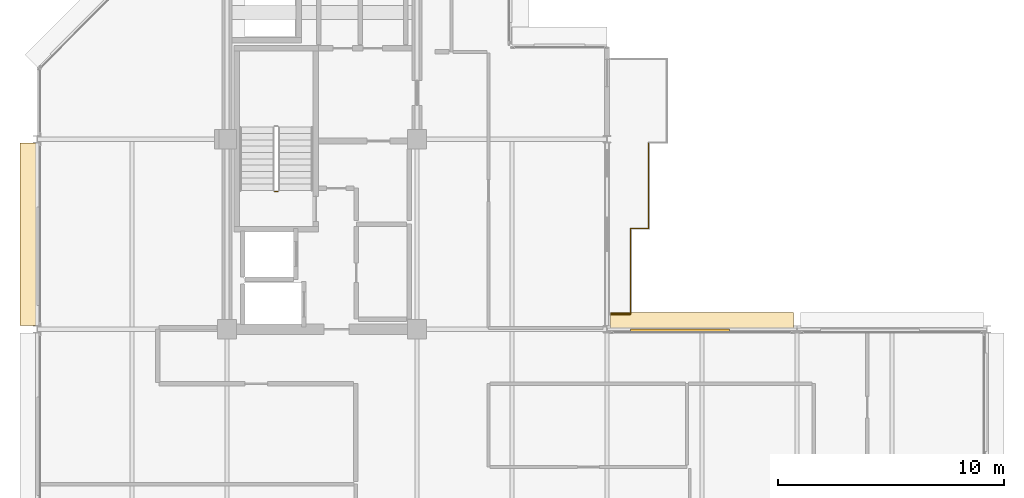
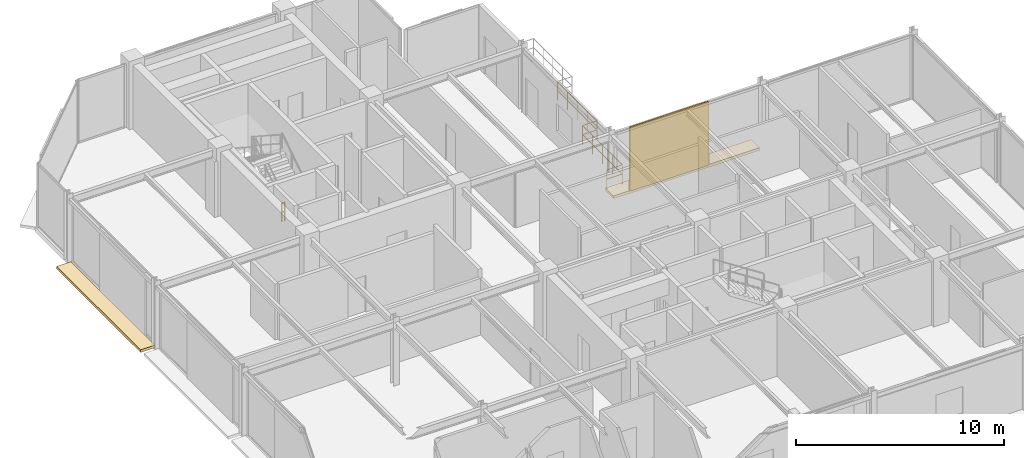
# One storey, part 25 of 27: 5 railings, 3 coverings.
"""IFC4 building model written with IfcOpenShell, lengths in metres."""

from ifc_helpers import new_model, si_unit, direction, frame, origin, origin_2d, place, context, subcontext, project, spatial, polyline, rectangle, circle, outline, extrude, material, layer, layer_set, type_object, element, save


model = new_model("IFC4")

# Units and contexts
model_context = context("Model", 3, precision=1e-05, world=origin(), true_north=direction((0.0, 1.0)))
body_context = subcontext(model_context, "Body", "Model", "MODEL_VIEW")
ifc_project = project(units=[si_unit("LENGTHUNIT", "METRE"), si_unit("AREAUNIT", "SQUARE_METRE"), si_unit("VOLUMEUNIT", "CUBIC_METRE"), si_unit("PLANEANGLEUNIT", "RADIAN"), si_unit("MASSUNIT", "GRAM", prefix="KILO")], contexts=[model_context])

# Site, building, storey
site_placement = place(None, origin())
site = spatial("IfcSite", under=ifc_project, at=site_placement, CompositionType="ELEMENT")
building_placement = place(site_placement, origin())
building = spatial("IfcBuilding", under=site, at=building_placement, Name="Nerrivon Quay Data Exchange", CompositionType="ELEMENT")
storey_placement = place(building_placement, frame((0.0, 0.0, 254.199951171875)))
storey = spatial("IfcBuildingStorey", under=building, at=storey_placement, Name="L60", CompositionType="ELEMENT", Elevation=254.199951171875)

# Coverings
ifc_material_1 = material(Name="Architectural terracotta ceramic", Category="masonry")
ifc_layer_1 = layer(ifc_material_1, 0.159912109375)
ifc_layer_set_1 = layer_set([ifc_layer_1], Name="Architectural terracotta ceramic")
covering_type_1 = type_object("IfcCoveringType", Name="COV-BLD-TERR", PredefinedType="CLADDING", material=ifc_layer_set_1)
covering_1_placement = place(storey_placement, frame((0.0, 0.0, -0.159912109375)))
element("IfcCovering", 1, at=covering_1_placement, inside=storey, type_object=covering_type_1, Name="L60 Horizontal Terracotta SOLAR SCREEN Blade", PredefinedType="CLADDING", context=body_context, shape_type="SweptSolid", body=[
    extrude(outline(polyline([(0.0400390625, 25.363525390625), (0.0400390625, 33.4365234375), (-0.75, 33.4365234375), (-0.75, 25.363525390625), (0.0400390625, 25.363525390625)])), origin(), (0.0, 0.0, 1.0), 0.159912109375),
])
covering_2_placement = place(storey_placement, frame((0.0, 0.0, -0.159912109375)))
element("IfcCovering", 2, at=covering_2_placement, inside=storey, type_object=covering_type_1, Name="L60 Horizontal Terracotta SOLAR SCREEN Blade", PredefinedType="CLADDING", context=body_context, shape_type="SweptSolid", body=[
    extrude(outline(polyline([(25.35546875, 25.159912109375), (33.444580078125, 25.159912109375), (33.444580078125, 25.949951171875), (25.35546875, 25.949951171875), (25.35546875, 25.159912109375)])), origin(), (0.0, 0.0, 1.0), 0.159912109375),
])
ifc_layer_2 = layer(ifc_material_1, 0.090087890625)
ifc_layer_set_2 = layer_set([ifc_layer_2], Name="Architectural terracotta ceramic")
covering_type_2 = type_object("IfcCoveringType", Name="COV-SCR-TERR", PredefinedType="CLADDING", material=ifc_layer_set_2)
covering_3_placement = place(storey_placement, frame((28.42919921875, 25.155029296875, 0.0), z_axis=(0.0, 0.0, 1.0), x_axis=(1.0, 0.0, 0.0)))
element("IfcCovering", 3, at=covering_3_placement, inside=storey, type_object=covering_type_2, Name="L60 Perforated Terracotta SOLAR SCREEN Cassette", PredefinedType="CLADDING", context=body_context, shape_type="SweptSolid", body=[
    extrude(rectangle(XDim=4.367919921875, YDim=0.090087890625, at=origin_2d()), origin(), (0.0, 0.0, 1.0), 3.72509765625),
])

# Railings
ifc_material_2 = material(Name="Steel Grade C350L0 (350 MPa)", Category="steel")
railing_type_1 = type_object("IfcRailingType", Name="RAIL-GUARD-GR2", PredefinedType="BALUSTRADE", material=ifc_material_2)
railing_1_placement = place(storey_placement, frame((26.239990234375, 29.659912109375, 0.0)))
element("IfcRailing", 4, at=railing_1_placement, inside=storey, type_object=railing_type_1, Name="L60 Verandah Balcony Guard 1.1 1", PredefinedType="BALUSTRADE", context=body_context, shape_type="SweptSolid", body=[
    extrude(circle(Radius=0.02392578125, at=origin_2d()), frame((0.0, 0.0, 1.09619140625), z_axis=(0.0, -1.0, 0.0), x_axis=(1.0, 0.0, 0.0)), (0.0, 0.0, 1.0), 3.7998046875),
    extrude(circle(Radius=0.02392578125, at=origin_2d()), frame((0.0, 0.0, 0.56005859375), z_axis=(0.0, -1.0, 0.0), x_axis=(1.0, 0.0, 0.0)), (0.0, 0.0, 1.0), 3.7998046875),
    extrude(circle(Radius=0.02099609375, at=origin_2d()), origin(), (0.0, 0.0, 1.0), 1.072021484375),
    extrude(circle(Radius=0.02099609375, at=origin_2d()), frame((0.0, -0.949951171875, 0.0)), (0.0, 0.0, 1.0), 1.072021484375),
    extrude(circle(Radius=0.02099609375, at=origin_2d()), frame((0.0, -1.89990234375, 0.0)), (0.0, 0.0, 1.0), 1.072021484375),
    extrude(circle(Radius=0.02099609375, at=origin_2d()), frame((0.0, -2.849853515625, 0.0)), (0.0, 0.0, 1.0), 1.072021484375),
    extrude(circle(Radius=0.02099609375, at=origin_2d()), frame((0.0, -3.7998046875, 0.0)), (0.0, 0.0, 1.0), 1.072021484375),
])
railing_2_placement = place(storey_placement, frame((26.239990234375, 25.860107421875, 0.0)))
element("IfcRailing", 5, at=railing_2_placement, inside=storey, type_object=railing_type_1, Name="L60 Verandah Balcony Guard 1.2 1", PredefinedType="BALUSTRADE", context=body_context, shape_type="SweptSolid", body=[
    extrude(circle(Radius=0.02392578125, at=origin_2d()), frame((0.0, 0.0, 1.09619140625), z_axis=(-1.0, 0.0, 0.0), x_axis=(0.0, -1.0, 0.0)), (0.0, 0.0, 1.0), 0.860107421875),
    extrude(circle(Radius=0.02392578125, at=origin_2d()), frame((0.0, 0.0, 0.56005859375), z_axis=(-1.0, 0.0, 0.0), x_axis=(0.0, -1.0, 0.0)), (0.0, 0.0, 1.0), 0.860107421875),
    extrude(circle(Radius=0.02099609375, at=origin_2d()), origin(), (0.0, 0.0, 1.0), 1.072021484375),
    extrude(circle(Radius=0.02099609375, at=origin_2d()), frame((-0.860107421875, 0.0, 0.0)), (0.0, 0.0, 1.0), 1.072021484375),
])
railing_3_placement = place(storey_placement, frame((27.0400390625, 33.4599609375, 0.0)))
element("IfcRailing", 6, at=railing_3_placement, inside=storey, type_object=railing_type_1, Name="L60 Verandah Balcony Guard 1.6 1", PredefinedType="BALUSTRADE", context=body_context, shape_type="SweptSolid", body=[
    extrude(circle(Radius=0.02392578125, at=origin_2d()), frame((0.0, 0.0, 1.09619140625), z_axis=(0.0, -1.0, 0.0), x_axis=(1.0, 0.0, 0.0)), (0.0, 0.0, 1.0), 3.800048828125),
    extrude(circle(Radius=0.02392578125, at=origin_2d()), frame((0.0, 0.0, 0.56005859375), z_axis=(0.0, -1.0, 0.0), x_axis=(1.0, 0.0, 0.0)), (0.0, 0.0, 1.0), 3.800048828125),
    extrude(circle(Radius=0.02099609375, at=origin_2d()), origin(), (0.0, 0.0, 1.0), 1.072021484375),
    extrude(circle(Radius=0.02099609375, at=origin_2d()), frame((0.0, -0.949951171875, 0.0)), (0.0, 0.0, 1.0), 1.072021484375),
    extrude(circle(Radius=0.02099609375, at=origin_2d()), frame((0.0, -1.89990234375, 0.0)), (0.0, 0.0, 1.0), 1.072021484375),
    extrude(circle(Radius=0.02099609375, at=origin_2d()), frame((0.0, -2.85009765625, 0.0)), (0.0, 0.0, 1.0), 1.072021484375),
    extrude(circle(Radius=0.02099609375, at=origin_2d()), frame((0.0, -3.800048828125, 0.0)), (0.0, 0.0, 1.0), 1.072021484375),
])
railing_4_placement = place(storey_placement, frame((27.0400390625, 29.659912109375, 0.0)))
element("IfcRailing", 7, at=railing_4_placement, inside=storey, type_object=railing_type_1, Name="L60 Verandah Balcony Guard 1.7 1", PredefinedType="BALUSTRADE", context=body_context, shape_type="SweptSolid", body=[
    extrude(circle(Radius=0.02392578125, at=origin_2d()), frame((0.0, 0.0, 1.09619140625), z_axis=(-1.0, 0.0, 0.0), x_axis=(0.0, -1.0, 0.0)), (0.0, 0.0, 1.0), 0.800048828125),
    extrude(circle(Radius=0.02392578125, at=origin_2d()), frame((0.0, 0.0, 0.56005859375), z_axis=(-1.0, 0.0, 0.0), x_axis=(0.0, -1.0, 0.0)), (0.0, 0.0, 1.0), 0.800048828125),
    extrude(circle(Radius=0.02099609375, at=origin_2d()), origin(), (0.0, 0.0, 1.0), 1.072021484375),
    extrude(circle(Radius=0.02099609375, at=origin_2d()), frame((-0.800048828125, 0.0, 0.0)), (0.0, 0.0, 1.0), 1.072021484375),
])
railing_type_2 = type_object("IfcRailingType", Name="RAIL-STAIR-GR1", PredefinedType="BALUSTRADE", material=ifc_material_2)
railing_5_placement = place(storey_placement, frame((10.64990234375, 31.280029296875, 0.0)))
element("IfcRailing", 8, at=railing_5_placement, inside=storey, type_object=railing_type_2, Name="L60 ST01 stair guard 4", PredefinedType="BALUSTRADE", context=body_context, shape_type="SweptSolid", body=[
    extrude(circle(Radius=0.02392578125, at=origin_2d()), frame((0.0, 0.0, 1.076171875), z_axis=(-1.0, 0.0, 0.0), x_axis=(0.0, -1.0, 0.0)), (0.0, 0.0, 1.0), 0.14990234375),
    extrude(circle(Radius=0.02392578125, at=origin_2d()), frame((0.0, 0.0, 0.550048828125), z_axis=(-1.0, 0.0, 0.0), x_axis=(0.0, -1.0, 0.0)), (0.0, 0.0, 1.0), 0.14990234375),
    extrude(circle(Radius=0.02099609375, at=origin_2d()), origin(), (0.0, 0.0, 1.0), 1.052001953125),
    extrude(circle(Radius=0.02099609375, at=origin_2d()), frame((-0.14990234375, 0.0, 0.0)), (0.0, 0.0, 1.0), 1.052001953125),
])

save(model, "model.ifc")
